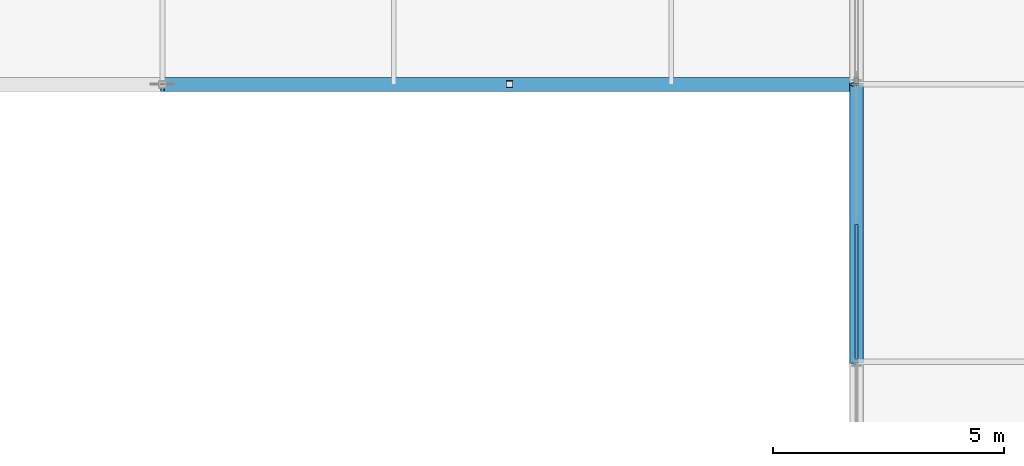
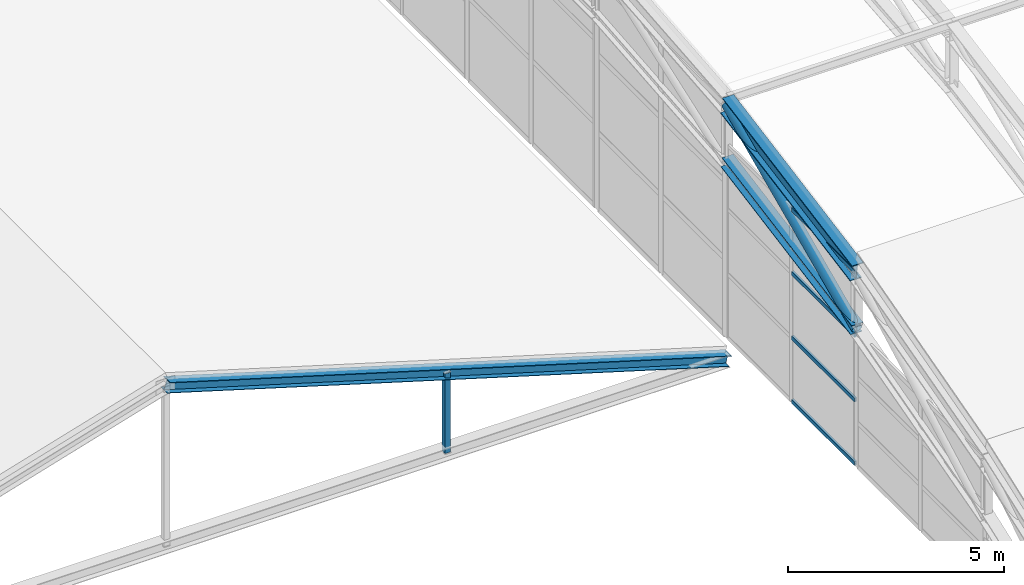
# One storey, part 21 of 204: 9 members, 1 element without a shape of its own.
"""IFC4 building model written with IfcOpenShell, lengths in metres."""

from ifc_helpers import new_model, si_unit, direction, frame, origin, origin_2d, place, context, subcontext, project, spatial, hollow_rectangle, hollow_circle, i_section, extrude, material, layer, layer_set, material_profile, profile_set, type_object, element, aggregate, save


model = new_model("IFC4")

# Units and contexts
model_context = context("Model", 3, precision=1e-05, world=origin(), true_north=direction((0.0, 1.0)))
body_context = subcontext(model_context, "Body", "Model", "MODEL_VIEW")
ifc_project = project(units=[si_unit("LENGTHUNIT", "METRE"), si_unit("AREAUNIT", "SQUARE_METRE"), si_unit("VOLUMEUNIT", "CUBIC_METRE"), si_unit("PLANEANGLEUNIT", "RADIAN"), si_unit("MASSUNIT", "GRAM", prefix="KILO")], contexts=[model_context])

# Site, building, storey
site_placement = place(None, origin())
site = spatial("IfcSite", under=ifc_project, at=site_placement, CompositionType="ELEMENT")
building_placement = place(site_placement, origin())
building = spatial("IfcBuilding", under=site, at=building_placement, Name="Zilviju Railside Exhibition Hall", CompositionType="ELEMENT")
storey_placement = place(building_placement, frame((0.0, 0.0, 21.0)))
storey = spatial("IfcBuildingStorey", under=building, at=storey_placement, Name="RF", CompositionType="ELEMENT", Elevation=21.0)

# Curtain wall, members
ifc_material_1 = material(Name="Thermally broken aluminium-steel triple-glazed curtain wall", Category="steel")
ifc_layer = layer(ifc_material_1, 0.179931640625)
ifc_layer_set = layer_set([ifc_layer], Name="Thermally broken aluminium-steel triple-glazed curtain wall")
curtain_wall_type = type_object("IfcCurtainWallType", Name="CW-BAY-11", PredefinedType="USERDEFINED", material=ifc_layer_set)
curtain_wall_placement = place(storey_placement, origin())
curtain_wall = element("IfcCurtainWall", 1, at=curtain_wall_placement, inside=storey, type_object=curtain_wall_type, Name="South Hall Arch Tympanum Glazing West P3", ObjectType="GLAZED CURTAIN WALL", PredefinedType="USERDEFINED")
ifc_material_2 = material(Name="Thermally broken anodized aluminium transom", Category="aluminium")
ifc_material_profile_1 = material_profile(ifc_material_2, hollow_rectangle(XDim=0.06005859375, YDim=0.110107421875, WallThickness=0.0048828125, at=origin_2d()), Name="TRANSOM 110x60x5")
ifc_profile_set_1 = profile_set([ifc_material_profile_1], Name="Thermally broken anodized aluminium transom")
member_type_1 = type_object("IfcMemberType", Name="CWT-60x110", PredefinedType="USERDEFINED", material=ifc_profile_set_1)
member_1_placement = place(storey_placement, frame((78.0, 12.06005859375, -7.77001953125), z_axis=(0.0, 1.0, 0.0), x_axis=(-1.0, 0.0, 0.0)))
member_1 = element("IfcMember", 2, at=member_1_placement, type_object=member_type_1, Name="CW-11 transom 1.1", ObjectType="TRANSOM", PredefinedType="USERDEFINED", context=body_context, shape_type="SweptSolid", body=[
    extrude(hollow_rectangle(XDim=0.06005859375, YDim=0.110107421875, WallThickness=0.0048828125, at=origin_2d()), origin(), (0.0, 0.0, 1.0), 2.909912109375),
])
member_2_placement = place(storey_placement, frame((78.0, 12.06005859375, -5.97607421875), z_axis=(0.0, 1.0, 0.0), x_axis=(-1.0, 0.0, 0.0)))
member_2 = element("IfcMember", 3, at=member_2_placement, type_object=member_type_1, Name="CW-11 transom 1.2", ObjectType="TRANSOM", PredefinedType="USERDEFINED", context=body_context, shape_type="SweptSolid", body=[
    extrude(hollow_rectangle(XDim=0.06005859375, YDim=0.110107421875, WallThickness=0.0048828125, at=origin_2d()), origin(), (0.0, 0.0, 1.0), 2.909912109375),
])
member_3_placement = place(storey_placement, frame((78.0, 12.06005859375, -4.152099609375), z_axis=(0.0, 1.0, 0.0), x_axis=(-1.0, 0.0, 0.0)))
member_3 = element("IfcMember", 4, at=member_3_placement, type_object=member_type_1, Name="CW-11 transom 1.3", ObjectType="TRANSOM", PredefinedType="USERDEFINED", context=body_context, shape_type="SweptSolid", body=[
    extrude(hollow_rectangle(XDim=0.06005859375, YDim=0.110107421875, WallThickness=0.0048828125, at=origin_2d()), origin(), (0.0, 0.0, 1.0), 2.909912109375),
])
member_4_placement = place(storey_placement, frame((78.0, 12.06005859375, -2.35791015625), z_axis=(0.0, 1.0, 0.0), x_axis=(-1.0, 0.0, 0.0)))
member_4 = element("IfcMember", 5, at=member_4_placement, type_object=member_type_1, Name="CW-11 transom 1.4", ObjectType="TRANSOM", PredefinedType="USERDEFINED", context=body_context, shape_type="SweptSolid", body=[
    extrude(hollow_rectangle(XDim=0.06005859375, YDim=0.110107421875, WallThickness=0.0048828125, at=origin_2d()), origin(), (0.0, 0.0, 1.0), 2.909912109375),
])
aggregate(curtain_wall, [member_1, member_2, member_3, member_4])

# Members
ifc_material_3 = material(Name="Steel S355ML", Category="steel")
ifc_material_profile_2 = material_profile(ifc_material_3, hollow_circle(Radius=0.136474609375, WallThickness=0.012451171875, at=origin_2d()), Name="CHS 273.0x12.5")
ifc_profile_set_2 = profile_set([ifc_material_profile_2], Name="Steel S355ML")
member_type_2 = type_object("IfcMemberType", Name="TR-BR-CHS273", PredefinedType="BRACE", material=ifc_profile_set_2)
member_5_placement = place(storey_placement, frame((78.0, 12.0, -3.928466796875), z_axis=(0.0, 0.911563042822, 0.411160332425), x_axis=(-1.0, 0.0, 0.0)))
element("IfcMember", 6, at=member_5_placement, inside=storey, type_object=member_type_2, Name="V1 Parabolic Arch Web Diagonal X=78.0 P3", PredefinedType="BRACE", context=body_context, shape_type="SweptSolid", body=[
    extrude(hollow_circle(Radius=0.136474609375, WallThickness=0.012451171875, at=origin_2d()), origin(), (0.0, 0.0, 1.0), 6.58203125),
])
ifc_material_profile_3 = material_profile(ifc_material_3, i_section(OverallWidth=0.300048828125, OverallDepth=0.300048828125, WebThickness=0.010986328125, FlangeThickness=0.01904296875, at=origin_2d()), Name="HEB 300")
ifc_profile_set_3 = profile_set([ifc_material_profile_3], Name="Steel S355ML")
member_type_3 = type_object("IfcMemberType", Name="TR-CH-HEB300", PredefinedType="CHORD", material=ifc_profile_set_3)
member_6_placement = place(storey_placement, frame((78.0, 12.0, -3.928466796875), z_axis=(0.0, 0.98342578549, 0.18131112606), x_axis=(-1.0, 0.0, 0.0)))
element("IfcMember", 7, at=member_6_placement, inside=storey, type_object=member_type_3, Name="V1 Parabolic Arch Bottom Chord X=78.0 P3", PredefinedType="CHORD", context=body_context, shape_type="SweptSolid", body=[
    extrude(i_section(OverallWidth=0.300048828125, OverallDepth=0.300048828125, WebThickness=0.010986328125, FlangeThickness=0.01904296875, at=origin_2d()), origin(), (0.0, 0.0, 1.0), 6.10107421875),
])
ifc_material_profile_4 = material_profile(ifc_material_3, i_section(OverallWidth=0.300048828125, OverallDepth=0.5, WebThickness=0.014404296875, FlangeThickness=0.028076171875, at=origin_2d()), Name="HEB 500")
ifc_profile_set_4 = profile_set([ifc_material_profile_4], Name="Steel S355ML")
member_type_4 = type_object("IfcMemberType", Name="TR-CH-HEB500-ML", PredefinedType="CHORD", material=ifc_profile_set_4)
member_7_placement = place(storey_placement, frame((78.0, 12.0, -2.328369140625), z_axis=(0.0, 0.98342578549, 0.18131112606), x_axis=(-1.0, 0.0, 0.0)))
element("IfcMember", 8, at=member_7_placement, inside=storey, type_object=member_type_4, Name="V1 Parabolic Arch Top Chord X=78.0 P3", PredefinedType="CHORD", context=body_context, shape_type="SweptSolid", body=[
    extrude(i_section(OverallWidth=0.300048828125, OverallDepth=0.5, WebThickness=0.014404296875, FlangeThickness=0.028076171875, at=origin_2d()), origin(), (0.0, 0.0, 1.0), 6.10107421875),
])
ifc_material_4 = material(Name="Steel S355J2", Category="steel")
ifc_material_profile_5 = material_profile(ifc_material_4, hollow_rectangle(XDim=0.14990234375, YDim=0.14990234375, WallThickness=0.008056640625, at=origin_2d()), Name="SHS 150x150x8.0")
ifc_profile_set_5 = profile_set([ifc_material_profile_5], Name="Steel S355J2")
member_type_5 = type_object("IfcMemberType", Name="TR-POST-SHS150", PredefinedType="POST", material=ifc_profile_set_5)
member_8_placement = place(storey_placement, frame((70.5, 18.0, -8.39990234375), z_axis=(0.0, 0.0, 1.0), x_axis=(1.0, 0.0, 0.0)))
element("IfcMember", 9, at=member_8_placement, inside=storey, type_object=member_type_5, Name="Concourse Saddle Queen Post Y=18.0", PredefinedType="POST", context=body_context, shape_type="SweptSolid", body=[
    extrude(hollow_rectangle(XDim=0.14990234375, YDim=0.14990234375, WallThickness=0.008056640625, at=origin_2d()), origin(), (0.0, 0.0, 1.0), 2.25),
])
ifc_material_profile_6 = material_profile(ifc_material_4, i_section(OverallWidth=0.300048828125, OverallDepth=0.2900390625, WebThickness=0.008544921875, FlangeThickness=0.013916015625, at=origin_2d()), Name="HEA 300")
ifc_profile_set_6 = profile_set([ifc_material_profile_6], Name="Steel S355J2")
member_type_6 = type_object("IfcMemberType", Name="TR-RAF-HEA300", PredefinedType="RAFTER", material=ifc_profile_set_6)
member_9_placement = place(storey_placement, frame((63.0, 18.0, -3.89990234375), z_axis=(0.957826285221, 0.0, -0.287347885566), x_axis=(0.0, 1.0, 0.0)))
element("IfcMember", 10, at=member_9_placement, inside=storey, type_object=member_type_6, Name="Concourse Saddle East Rafter Y=18.0", PredefinedType="RAFTER", context=body_context, shape_type="SweptSolid", body=[
    extrude(i_section(OverallWidth=0.300048828125, OverallDepth=0.2900390625, WebThickness=0.008544921875, FlangeThickness=0.013916015625, at=origin_2d()), origin(), (0.0, 0.0, 1.0), 15.660400390625),
])

save(model, "model.ifc")
